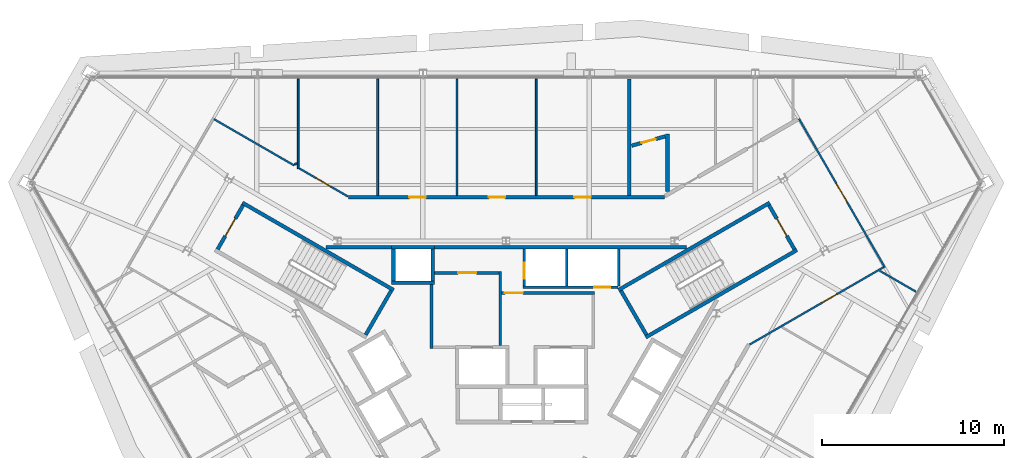
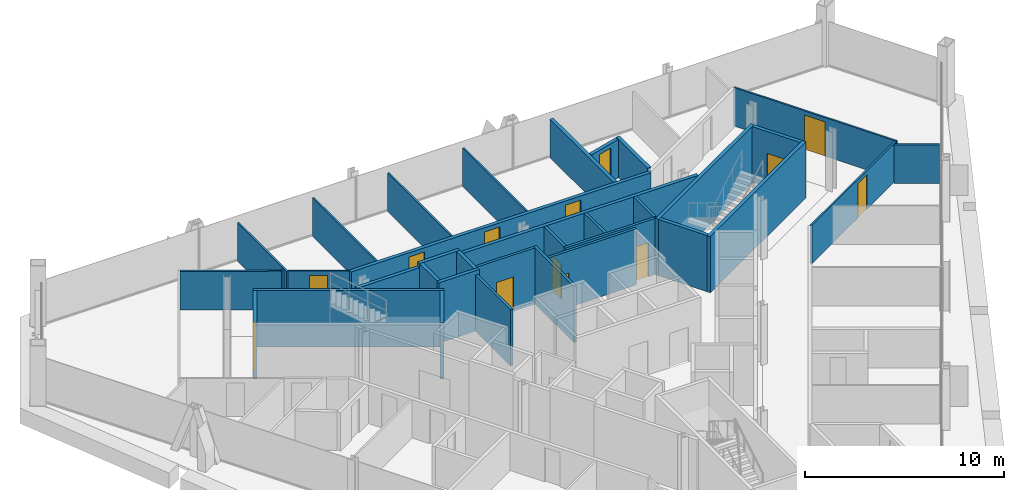
# One storey, part 12 of 15: 35 walls, 13 doors, 13 openings.
"""IFC4 building model written with IfcOpenShell, lengths in metres."""

from ifc_helpers import new_model, si_unit, direction, frame, frame_2d, origin, place, context, subcontext, project, spatial, rectangle, extrude, material, layer, layer_set, type_object, element, fill, save


model = new_model("IFC4")

# Units and contexts
model_context = context("Model", 3, precision=1e-05, world=origin(), true_north=direction((0.0, 1.0)))
body_context = subcontext(model_context, "Body", "Model", "MODEL_VIEW")
ifc_project = project(units=[si_unit("LENGTHUNIT", "METRE"), si_unit("AREAUNIT", "SQUARE_METRE"), si_unit("VOLUMEUNIT", "CUBIC_METRE"), si_unit("PLANEANGLEUNIT", "RADIAN"), si_unit("MASSUNIT", "GRAM", prefix="KILO")], contexts=[model_context])

# Site, building, storey
site_placement = place(None, origin())
site = spatial("IfcSite", under=ifc_project, at=site_placement, CompositionType="ELEMENT")
building_placement = place(site_placement, origin())
building = spatial("IfcBuilding", under=site, at=building_placement, Name="Verrane Prism Tower", CompositionType="ELEMENT")
storey_placement = place(building_placement, frame((0.0, 0.0, 254.5)))
storey = spatial("IfcBuildingStorey", under=building, at=storey_placement, Name="L64", CompositionType="ELEMENT", Elevation=254.5)

# Walls
ifc_material_1 = material(Name="Gypsum board partition", Category="other")
ifc_layer_1 = layer(ifc_material_1, 0.199951171875)
ifc_layer_set_1 = layer_set([ifc_layer_1], Name="CW-200 core boundary wall 2 h")
wall_type_1 = type_object("IfcWallType", Name="CW-200 core boundary wall 2 h", PredefinedType="PARTITIONING", material=ifc_layer_set_1)
wall_1_placement = place(storey_placement, frame((-9.907958984375, 7.659912109375, 0.0), z_axis=(0.0, 0.0, 1.0), x_axis=(1.0, 0.0, 0.0)))
element("IfcWall", 1, at=wall_1_placement, inside=storey, type_object=wall_type_1, Name="Core boundary wall CW3-010", PredefinedType="PARTITIONING", context=body_context, shape_type="SweptSolid", body=[
    extrude(rectangle(XDim=3.620849609375, YDim=0.199951171875, at=frame_2d((1.810546875, 0.0))), origin(), (0.0, 0.0, 1.0), 3.449951171875),
])
wall_2_placement = place(storey_placement, frame((-3.93310546875, 7.659912109375, 0.0), z_axis=(0.0, 0.0, 1.0), x_axis=(1.0, 0.0, 0.0)))
element("IfcWall", 2, at=wall_2_placement, inside=storey, type_object=wall_type_1, Name="Core boundary wall CW3-013", PredefinedType="PARTITIONING", context=body_context, shape_type="SweptSolid", body=[
    extrude(rectangle(XDim=13.841064453125, YDim=0.199951171875, at=frame_2d((6.92041015625, 0.0))), origin(), (0.0, 0.0, 1.0), 3.449951171875),
])

# Wall, opening, door
ifc_material_2 = material(Name="Concrete C40/50", Category="concrete")
ifc_layer_2 = layer(ifc_material_2, 0.199951171875)
ifc_layer_set_2 = layer_set([ifc_layer_2], Name="CW-200 stair core wall concrete C40/50 3 h")
wall_type_2 = type_object("IfcWallType", Name="CW-200 stair core wall concrete C40/50 3 h", PredefinedType="PARTITIONING", material=ifc_layer_set_2)
wall_3_placement = place(storey_placement, frame((15.85546875, 7.53759765625, 0.0), z_axis=(0.0, 0.0, 1.0), x_axis=(-0.500049511043, 0.865996816683, 0.0)))
wall_3 = element("IfcWall", 3, at=wall_3_placement, inside=storey, type_object=wall_type_2, Name="Stair 1 enclosure wall", PredefinedType="PARTITIONING", context=body_context, shape_type="SweptSolid", body=[
    extrude(rectangle(XDim=2.800048828125, YDim=0.199951171875, at=frame_2d((1.39990234375, 0.0))), origin(), (0.0, 0.0, 1.0), 3.449951171875),
])
opening_1_placement = place(wall_3_placement, frame((0.849853515625, 0.0, 0.0)))
opening_1 = element("IfcOpeningElement", 4, at=opening_1_placement, cuts=wall_3, Name="Opening D62500", PredefinedType="OPENING", context=body_context, shape_type="SweptSolid", body=[
    extrude(rectangle(XDim=1.10009765625, YDim=2.10009765625, at=frame_2d((0.550048828125, 1.050048828125))), frame((0.0, 0.10986328125, 0.0), z_axis=(0.0, -1.0, 0.0), x_axis=(1.0, 0.0, 0.0)), (0.0, 0.0, 1.0), 0.219970703125),
])
ifc_material_3 = material(Name="Timber veneered door leaf", Category="wood")
door_type_1 = type_object("IfcDoorType", Name="DR-1100x2100 FD90 single leaf stair", OperationType="NOTDEFINED", PredefinedType="DOOR", material=ifc_material_3)
door_1_placement = place(opening_1_placement, origin())
door_1 = element("IfcDoor", 5, at=door_1_placement, inside=storey, type_object=door_type_1, Name="Stair 1 door", OperationType="SINGLE_SWING_LEFT", OverallHeight=2.10009765625, OverallWidth=1.10009765625, PredefinedType="DOOR", context=body_context, shape_type="SweptSolid", body=[
    extrude(rectangle(XDim=1.10009765625, YDim=2.10009765625, at=frame_2d((0.550048828125, 1.050048828125))), frame((0.0, 0.02490234375, 0.0), z_axis=(0.0, -1.0, 0.0), x_axis=(1.0, 0.0, 0.0)), (0.0, 0.0, 1.0), 0.050048828125),
])
fill(opening_1, door_1)

# Walls
for number, where, z_axis, x_axis, name in (
    (6, (6.17822265625, 5.299072265625, 0.0), (0.0, 0.0, 1.0), (0.866019993635, 0.500009370536, 0.0), "Stair 1 enclosure wall"),
    (7, (7.67822265625, 2.700927734375, 0.0), (0.0, 0.0, 1.0), (0.866019993635, 0.500009370536, 0.0), "Stair 1 enclosure wall"),
):
    element("IfcWall", number, at=place(storey_placement, frame(where, z_axis=z_axis, x_axis=x_axis)), inside=storey, type_object=wall_type_2, Name=name, PredefinedType="PARTITIONING", context=body_context, shape_type="SweptSolid", body=[
        extrude(rectangle(XDim=9.599853515625, YDim=0.199951171875, at=frame_2d((4.7998046875, 0.0))), origin(), (0.0, 0.0, 1.0), 3.449951171875),
    ])
wall_4_placement = place(storey_placement, frame((7.71484375, 2.837646484375, 0.0), z_axis=(0.0, 0.0, 1.0), x_axis=(-0.500049511043, 0.865996816683, 0.0)))
element("IfcWall", 8, at=wall_4_placement, inside=storey, type_object=wall_type_2, Name="Stair 1 enclosure wall", PredefinedType="PARTITIONING", context=body_context, shape_type="SweptSolid", body=[
    extrude(rectangle(XDim=2.800048828125, YDim=0.199951171875, at=frame_2d((1.39990234375, 0.0))), origin(), (0.0, 0.0, 1.0), 3.449951171875),
])

# Wall, opening, door
wall_5_placement = place(storey_placement, frame((-14.455322265625, 9.96240234375, 0.0), z_axis=(0.0, 0.0, 1.0), x_axis=(-0.500049511043, -0.865996816683, 0.0)))
wall_5 = element("IfcWall", 9, at=wall_5_placement, inside=storey, type_object=wall_type_2, Name="Stair 2 enclosure wall", PredefinedType="PARTITIONING", context=body_context, shape_type="SweptSolid", body=[
    extrude(rectangle(XDim=2.800048828125, YDim=0.199951171875, at=frame_2d((1.39990234375, 0.0))), origin(), (0.0, 0.0, 1.0), 3.449951171875),
])
opening_2_placement = place(wall_5_placement, frame((0.849853515625, 0.0, 0.0)))
opening_2 = element("IfcOpeningElement", 10, at=opening_2_placement, cuts=wall_5, Name="Opening D62501", PredefinedType="OPENING", context=body_context, shape_type="SweptSolid", body=[
    extrude(rectangle(XDim=1.10009765625, YDim=2.10009765625, at=frame_2d((0.550048828125, 1.050048828125))), frame((0.0, 0.10986328125, 0.0), z_axis=(0.0, -1.0, 0.0), x_axis=(1.0, 0.0, 0.0)), (0.0, 0.0, 1.0), 0.219970703125),
])
door_2_placement = place(opening_2_placement, origin())
door_2 = element("IfcDoor", 11, at=door_2_placement, inside=storey, type_object=door_type_1, Name="Stair 2 door", OperationType="SINGLE_SWING_RIGHT", OverallHeight=2.10009765625, OverallWidth=1.10009765625, PredefinedType="DOOR", context=body_context, shape_type="SweptSolid", body=[
    extrude(rectangle(XDim=1.10009765625, YDim=2.10009765625, at=frame_2d((0.550048828125, 1.050048828125))), frame((0.0, 0.02490234375, 0.0), z_axis=(0.0, -1.0, 0.0), x_axis=(1.0, 0.0, 0.0)), (0.0, 0.0, 1.0), 0.050048828125),
])
fill(opening_2, door_2)

# Walls
wall_6_placement = place(storey_placement, frame((-6.17822265625, 5.299072265625, 0.0), z_axis=(0.0, 0.0, 1.0), x_axis=(-0.866019993635, 0.500009370536, 0.0)))
element("IfcWall", 12, at=wall_6_placement, inside=storey, type_object=wall_type_2, Name="Stair 2 enclosure wall", PredefinedType="PARTITIONING", context=body_context, shape_type="SweptSolid", body=[
    extrude(rectangle(XDim=9.599853515625, YDim=0.199951171875, at=frame_2d((4.7998046875, 0.0))), origin(), (0.0, 0.0, 1.0), 3.449951171875),
])
wall_7_placement = place(storey_placement, frame((-6.314697265625, 5.262451171875, 0.0), z_axis=(0.0, 0.0, 1.0), x_axis=(-0.500049511043, -0.865996816683, 0.0)))
element("IfcWall", 13, at=wall_7_placement, inside=storey, type_object=wall_type_2, Name="Stair 2 enclosure wall", PredefinedType="PARTITIONING", context=body_context, shape_type="SweptSolid", body=[
    extrude(rectangle(XDim=2.800048828125, YDim=0.199951171875, at=frame_2d((1.39990234375, 0.0))), origin(), (0.0, 0.0, 1.0), 3.449951171875),
])
ifc_material_4 = material(Name="Gypsum board shaft wall assembly", Category="other")
ifc_layer_3 = layer(ifc_material_4, 0.199951171875)
ifc_layer_set_3 = layer_set([ifc_layer_3], Name="HW-200 lift shaft wall 2 h")
wall_type_3 = type_object("IfcWallType", Name="HW-200 lift shaft wall 2 h", PredefinedType="PARTITIONING", material=ifc_layer_set_3)
for number, where, z_axis, x_axis, name in (
    (14, (-6.284912109375, 5.7099609375, 0.0), (0.0, 0.0, 1.0), (1.0, 0.0, 0.0), "Lift shaft wall"),
    (15, (-6.284912109375, 7.659912109375, 0.0), (0.0, 0.0, 1.0), (1.0, 0.0, 0.0), "Lift shaft wall"),
):
    element("IfcWall", number, at=place(storey_placement, frame(where, z_axis=z_axis, x_axis=x_axis)), inside=storey, type_object=wall_type_3, Name=name, PredefinedType="PARTITIONING", context=body_context, shape_type="SweptSolid", body=[
        extrude(rectangle(XDim=2.349853515625, YDim=0.199951171875, at=frame_2d((1.1748046875, 0.0))), origin(), (0.0, 0.0, 1.0), 3.699951171875),
    ])
for number, where, z_axis, x_axis, name in (
    (16, (-4.034912109375, 5.81005859375, 0.0), (0.0, 0.0, 1.0), (0.0, 1.0, 0.0), "Lift shaft wall"),
    (17, (-6.18505859375, 5.81005859375, 0.0), (0.0, 0.0, 1.0), (0.0, 1.0, 0.0), "Lift shaft wall"),
):
    element("IfcWall", number, at=place(storey_placement, frame(where, z_axis=z_axis, x_axis=x_axis)), inside=storey, type_object=wall_type_3, Name=name, PredefinedType="PARTITIONING", context=body_context, shape_type="SweptSolid", body=[
        extrude(rectangle(XDim=1.75, YDim=0.199951171875, at=frame_2d((0.875, 0.0))), origin(), (0.0, 0.0, 1.0), 3.699951171875),
    ])
ifc_material_5 = material(Name="Gypsum board partition", Category="other")
ifc_layer_4 = layer(ifc_material_5, 0.14990234375)
ifc_layer_set_4 = layer_set([ifc_layer_4], Name="LF-150 firefighting lobby wall 1 h")
wall_type_4 = type_object("IfcWallType", Name="LF-150 firefighting lobby wall 1 h", PredefinedType="PARTITIONING", material=ifc_layer_set_4)
wall_8_placement = place(storey_placement, frame((-4.10009765625, 2.0849609375, 0.0), z_axis=(0.0, 0.0, 1.0), x_axis=(0.0, 1.0, 0.0)))
element("IfcWall", 18, at=wall_8_placement, inside=storey, type_object=wall_type_4, Name="Firefighting lobby wall LF1-008", PredefinedType="PARTITIONING", context=body_context, shape_type="SweptSolid", body=[
    extrude(rectangle(XDim=3.52294921875, YDim=0.14990234375, at=frame_2d((1.761474609375, 0.0))), origin(), (0.0, 0.0, 1.0), 3.449951171875),
])

# Wall, opening, door
wall_9_placement = place(storey_placement, frame((-3.93310546875, 6.239990234375, 0.0), z_axis=(0.0, 0.0, 1.0), x_axis=(1.0, 0.0, 0.0)))
wall_9 = element("IfcWall", 19, at=wall_9_placement, inside=storey, type_object=wall_type_4, Name="Firefighting lobby wall LF1-010", PredefinedType="PARTITIONING", context=body_context, shape_type="SweptSolid", body=[
    extrude(rectangle(XDim=3.5380859375, YDim=0.14990234375, at=frame_2d((1.76904296875, 0.0))), origin(), (0.0, 0.0, 1.0), 3.449951171875),
])
opening_3_placement = place(wall_9_placement, frame((1.300048828125, 0.0, 0.0)))
opening_3 = element("IfcOpeningElement", 20, at=opening_3_placement, cuts=wall_9, Name="Opening D62519", PredefinedType="OPENING", context=body_context, shape_type="SweptSolid", body=[
    extrude(rectangle(XDim=1.0, YDim=2.10009765625, at=frame_2d((0.5, 1.050048828125))), frame((0.0, 0.0849609375, 0.0), z_axis=(0.0, -1.0, 0.0), x_axis=(1.0, 0.0, 0.0)), (0.0, 0.0, 1.0), 0.169921875),
])
ifc_material_6 = material(Name="Timber veneered door leaf", Category="wood")
door_type_2 = type_object("IfcDoorType", Name="DR-1000x2100 FD60 single leaf firefighting lobby", OperationType="NOTDEFINED", PredefinedType="DOOR", material=ifc_material_6)
door_3_placement = place(opening_3_placement, origin())
door_3 = element("IfcDoor", 21, at=door_3_placement, inside=storey, type_object=door_type_2, Name="Firefighting lobby door D62519", OperationType="SINGLE_SWING_LEFT", OverallHeight=2.10009765625, OverallWidth=1.0, PredefinedType="DOOR", context=body_context, shape_type="SweptSolid", body=[
    extrude(rectangle(XDim=1.0, YDim=2.10009765625, at=frame_2d((0.5, 1.050048828125))), frame((0.0, 0.02490234375, 0.0), z_axis=(0.0, -1.0, 0.0), x_axis=(1.0, 0.0, 0.0)), (0.0, 0.0, 1.0), 0.050048828125),
])
fill(opening_3, door_3)

# Wall
wall_10_placement = place(storey_placement, frame((-0.320068359375, 2.251953125, 0.0), z_axis=(0.0, 0.0, 1.0), x_axis=(0.0, 1.0, 0.0)))
element("IfcWall", 22, at=wall_10_placement, inside=storey, type_object=wall_type_4, Name="Firefighting lobby wall LF1-011", PredefinedType="PARTITIONING", context=body_context, shape_type="SweptSolid", body=[
    extrude(rectangle(XDim=4.06298828125, YDim=0.14990234375, at=frame_2d((2.031494140625, 0.0))), origin(), (0.0, 0.0, 1.0), 3.449951171875),
])

# Wall, opening, door
wall_11_placement = place(storey_placement, frame((-0.2451171875, 5.139892578125, 0.0), z_axis=(0.0, 0.0, 1.0), x_axis=(1.0, 0.0, 0.0)))
wall_11 = element("IfcWall", 23, at=wall_11_placement, inside=storey, type_object=wall_type_4, Name="Firefighting lobby wall LF1-012", PredefinedType="PARTITIONING", context=body_context, shape_type="SweptSolid", body=[
    extrude(rectangle(XDim=5.110107421875, YDim=0.14990234375, at=frame_2d((2.55517578125, 0.0))), origin(), (0.0, 0.0, 1.0), 3.449951171875),
])
opening_4_placement = place(wall_11_placement, frame((0.175048828125, 0.0, 0.0)))
opening_4 = element("IfcOpeningElement", 24, at=opening_4_placement, cuts=wall_11, Name="Opening D62520", PredefinedType="OPENING", context=body_context, shape_type="SweptSolid", body=[
    extrude(rectangle(XDim=1.0, YDim=2.10009765625, at=frame_2d((0.5, 1.050048828125))), frame((0.0, 0.0849609375, 0.0), z_axis=(0.0, -1.0, 0.0), x_axis=(1.0, 0.0, 0.0)), (0.0, 0.0, 1.0), 0.169921875),
])
door_4_placement = place(opening_4_placement, origin())
door_4 = element("IfcDoor", 25, at=door_4_placement, inside=storey, type_object=door_type_2, Name="Firefighting lobby door D62520", OperationType="SINGLE_SWING_LEFT", OverallHeight=2.10009765625, OverallWidth=1.0, PredefinedType="DOOR", context=body_context, shape_type="SweptSolid", body=[
    extrude(rectangle(XDim=1.0, YDim=2.10009765625, at=frame_2d((0.5, 1.050048828125))), frame((0.0, 0.02490234375, 0.0), z_axis=(0.0, -1.0, 0.0), x_axis=(1.0, 0.0, 0.0)), (0.0, 0.0, 1.0), 0.050048828125),
])
fill(opening_4, door_4)

# Walls
ifc_material_7 = material(Name="Gypsum board partition", Category="other")
ifc_layer_5 = layer(ifc_material_7, 0.10009765625)
ifc_layer_set_5 = layer_set([ifc_layer_5], Name="PW-100 room partition")
wall_type_5 = type_object("IfcWallType", Name="PW-100 room partition", PredefinedType="PARTITIONING", material=ifc_layer_set_5)
wall_12_placement = place(storey_placement, frame((-16.0546875, 14.693115234375, 0.0), z_axis=(0.0, 0.0, 1.0), x_axis=(0.866094383736, -0.499880504182, 0.0)))
element("IfcWall", 26, at=wall_12_placement, inside=storey, type_object=wall_type_5, Name="Room partition 009", PredefinedType="PARTITIONING", context=body_context, shape_type="SweptSolid", body=[
    extrude(rectangle(XDim=5.081298828125, YDim=0.10009765625, at=frame_2d((2.54052734375, 0.0))), origin(), (0.0, 0.0, 1.0), 2.362060546875),
])
wall_13_placement = place(storey_placement, frame((-11.631591796875, 12.202880859375, 0.0), z_axis=(0.0, 0.0, 1.0), x_axis=(0.934710776834, 0.355409290354, 0.0)))
element("IfcWall", 27, at=wall_13_placement, inside=storey, type_object=wall_type_5, Name="Room partition 017", PredefinedType="PARTITIONING", context=body_context, shape_type="SweptSolid", body=[
    extrude(rectangle(XDim=0.156005859375, YDim=0.10009765625, at=frame_2d((0.078125, 0.0))), origin(), (0.0, 0.0, 1.0), 2.362060546875),
])
wall_14_placement = place(storey_placement, frame((-11.41796875, 11.967041015625, 0.0), z_axis=(0.0, 0.0, 1.0), x_axis=(0.0, 1.0, 0.0)))
element("IfcWall", 28, at=wall_14_placement, inside=storey, type_object=wall_type_5, Name="Room partition 018", PredefinedType="PARTITIONING", context=body_context, shape_type="SweptSolid", body=[
    extrude(rectangle(XDim=4.93896484375, YDim=0.10009765625, at=frame_2d((2.469482421875, 0.0))), origin(), (0.0, 0.0, 1.0), 2.362060546875),
])

# Wall, opening, door
wall_15_placement = place(storey_placement, frame((-11.357421875, 11.98193359375, 0.0), z_axis=(0.0, 0.0, 1.0), x_axis=(0.866039032844, -0.499976393034, 0.0)))
wall_15 = element("IfcWall", 29, at=wall_15_placement, inside=storey, type_object=wall_type_5, Name="Room partition 019", PredefinedType="PARTITIONING", context=body_context, shape_type="SweptSolid", body=[
    extrude(rectangle(XDim=3.079345703125, YDim=0.10009765625, at=frame_2d((1.53955078125, 0.0))), origin(), (0.0, 0.0, 1.0), 2.362060546875),
])
opening_5_placement = place(wall_15_placement, frame((1.080078125, 0.0, 0.0)))
opening_5 = element("IfcOpeningElement", 30, at=opening_5_placement, cuts=wall_15, Name="Opening D62016", PredefinedType="OPENING", context=body_context, shape_type="SweptSolid", body=[
    extrude(rectangle(XDim=0.89990234375, YDim=2.10009765625, at=frame_2d((0.449951171875, 1.050048828125))), frame((0.0, 0.06005859375, 0.0), z_axis=(0.0, -1.0, 0.0), x_axis=(1.0, 0.0, 0.0)), (0.0, 0.0, 1.0), 0.1201171875),
])
ifc_material_8 = material(Name="Timber veneered door leaf", Category="wood")
door_type_3 = type_object("IfcDoorType", Name="DR-900x2100 single leaf unit", OperationType="NOTDEFINED", PredefinedType="DOOR", material=ifc_material_8)
door_5_placement = place(opening_5_placement, origin())
door_5 = element("IfcDoor", 31, at=door_5_placement, inside=storey, type_object=door_type_3, Name="Utility Room door", OperationType="SINGLE_SWING_RIGHT", OverallHeight=2.10009765625, OverallWidth=0.89990234375, PredefinedType="DOOR", context=body_context, shape_type="SweptSolid", body=[
    extrude(rectangle(XDim=0.89990234375, YDim=2.10009765625, at=frame_2d((0.449951171875, 1.050048828125))), frame((0.0, 0.02490234375, 0.0), z_axis=(0.0, -1.0, 0.0), x_axis=(1.0, 0.0, 0.0)), (0.0, 0.0, 1.0), 0.050048828125),
])
fill(opening_5, door_5)

# Walls
for number, where, z_axis, x_axis, name in (
    (32, (-7.05908203125, 10.5, 0.0), (0.0, 0.0, 1.0), (0.0, 1.0, 0.0), "Room partition 022"),
    (33, (-2.700927734375, 10.5, 0.0), (0.0, 0.0, 1.0), (0.0, 1.0, 0.0), "Room partition 026"),
    (34, (1.657958984375, 10.5, 0.0), (0.0, 0.0, 1.0), (0.0, 1.0, 0.0), "Room partition 027"),
):
    element("IfcWall", number, at=place(storey_placement, frame(where, z_axis=z_axis, x_axis=x_axis)), inside=storey, type_object=wall_type_5, Name=name, PredefinedType="PARTITIONING", context=body_context, shape_type="SweptSolid", body=[
        extrude(rectangle(XDim=6.406005859375, YDim=0.10009765625, at=frame_2d((3.203125, 0.0))), origin(), (0.0, 0.0, 1.0), 2.362060546875),
    ])

# Wall, opening, door
wall_16_placement = place(storey_placement, frame((20.755615234375, 6.556884765625, 0.0), z_axis=(0.0, 0.0, 1.0), x_axis=(-0.86606177021, -0.499937006213, 0.0)))
wall_16 = element("IfcWall", 35, at=wall_16_placement, inside=storey, type_object=wall_type_5, Name="Room partition 044", PredefinedType="PARTITIONING", context=body_context, shape_type="SweptSolid", body=[
    extrude(rectangle(XDim=8.50390625, YDim=0.10009765625, at=frame_2d((4.251953125, 0.0))), origin(), (0.0, 0.0, 1.0), 2.362060546875),
])
opening_6_placement = place(wall_16_placement, frame((2.97900390625, 0.0, 0.0)))
opening_6 = element("IfcOpeningElement", 36, at=opening_6_placement, cuts=wall_16, Name="Opening D62008", PredefinedType="OPENING", context=body_context, shape_type="SweptSolid", body=[
    extrude(rectangle(XDim=0.89990234375, YDim=2.10009765625, at=frame_2d((0.449951171875, 1.050048828125))), frame((0.0, 0.06005859375, 0.0), z_axis=(0.0, -1.0, 0.0), x_axis=(1.0, 0.0, 0.0)), (0.0, 0.0, 1.0), 0.1201171875),
])
door_6_placement = place(opening_6_placement, origin())
door_6 = element("IfcDoor", 37, at=door_6_placement, inside=storey, type_object=door_type_3, Name="Study door", OperationType="SINGLE_SWING_LEFT", OverallHeight=2.10009765625, OverallWidth=0.89990234375, PredefinedType="DOOR", context=body_context, shape_type="SweptSolid", body=[
    extrude(rectangle(XDim=0.89990234375, YDim=2.10009765625, at=frame_2d((0.449951171875, 1.050048828125))), frame((0.0, 0.02490234375, 0.0), z_axis=(0.0, -1.0, 0.0), x_axis=(1.0, 0.0, 0.0)), (0.0, 0.0, 1.0), 0.050048828125),
])
fill(opening_6, door_6)

wall_17_placement = place(storey_placement, frame((16.097900390625, 14.718017578125, 0.0), z_axis=(0.0, 0.0, 1.0), x_axis=(0.50030257167, -0.86585064346, 0.0)))
wall_17 = element("IfcWall", 38, at=wall_17_placement, inside=storey, type_object=wall_type_5, Name="Room partition 047", PredefinedType="PARTITIONING", context=body_context, shape_type="SweptSolid", body=[
    extrude(rectangle(XDim=9.446533203125, YDim=0.10009765625, at=frame_2d((4.72314453125, 0.0))), origin(), (0.0, 0.0, 1.0), 2.362060546875),
])
opening_7_placement = place(wall_17_placement, frame((4.10009765625, 0.0, 0.0)))
opening_7 = element("IfcOpeningElement", 39, at=opening_7_placement, cuts=wall_17, Name="Opening D62009", PredefinedType="OPENING", context=body_context, shape_type="SweptSolid", body=[
    extrude(rectangle(XDim=1.199951171875, YDim=2.10009765625, at=frame_2d((0.60009765625, 1.050048828125))), frame((0.0, 0.06005859375, 0.0), z_axis=(0.0, -1.0, 0.0), x_axis=(1.0, 0.0, 0.0)), (0.0, 0.0, 1.0), 0.1201171875),
])
ifc_material_9 = material(Name="Timber veneered door leaf", Category="wood")
door_type_4 = type_object("IfcDoorType", Name="DR-1200x2100 single leaf unit", OperationType="NOTDEFINED", PredefinedType="DOOR", material=ifc_material_9)
door_7_placement = place(opening_7_placement, origin())
door_7 = element("IfcDoor", 40, at=door_7_placement, inside=storey, type_object=door_type_4, Name="Living And Dining Room door", OperationType="SINGLE_SWING_LEFT", OverallHeight=2.10009765625, OverallWidth=1.199951171875, PredefinedType="DOOR", context=body_context, shape_type="SweptSolid", body=[
    extrude(rectangle(XDim=1.199951171875, YDim=2.10009765625, at=frame_2d((0.60009765625, 1.050048828125))), frame((0.0, 0.02490234375, 0.0), z_axis=(0.0, -1.0, 0.0), x_axis=(1.0, 0.0, 0.0)), (0.0, 0.0, 1.0), 0.050048828125),
])
fill(opening_7, door_7)

# Wall
wall_18_placement = place(storey_placement, frame((20.552001953125, 6.352783203125, 0.0), z_axis=(0.0, 0.0, 1.0), x_axis=(0.865865073245, -0.500277597875, 0.0)))
element("IfcWall", 41, at=wall_18_placement, inside=storey, type_object=wall_type_5, Name="Room partition 048", PredefinedType="PARTITIONING", context=body_context, shape_type="SweptSolid", body=[
    extrude(rectangle(XDim=2.283935546875, YDim=0.10009765625, at=frame_2d((1.14208984375, 0.0))), origin(), (0.0, 0.0, 1.0), 2.362060546875),
])

# Wall, openings, doors
ifc_material_10 = material(Name="Gypsum board partition", Category="other")
ifc_layer_6 = layer(ifc_material_10, 0.199951171875)
ifc_layer_set_6 = layer_set([ifc_layer_6], Name="PW-200 plumbing wall")
wall_type_6 = type_object("IfcWallType", Name="PW-200 plumbing wall", PredefinedType="PARTITIONING", material=ifc_layer_set_6)
wall_19_placement = place(storey_placement, frame((-8.6669921875, 10.39990234375, 0.0), z_axis=(0.0, 0.0, 1.0), x_axis=(1.0, 0.0, 0.0)))
wall_19 = element("IfcWall", 42, at=wall_19_placement, inside=storey, type_object=wall_type_6, Name="Plumbing wall 021", PredefinedType="PARTITIONING", context=body_context, shape_type="SweptSolid", body=[
    extrude(rectangle(XDim=17.384033203125, YDim=0.199951171875, at=frame_2d((8.69189453125, 0.0))), origin(), (0.0, 0.0, 1.0), 2.362060546875),
])
opening_8_placement = place(wall_19_placement, frame((12.425048828125, 0.0, 0.0)))
opening_8 = element("IfcOpeningElement", 43, at=opening_8_placement, cuts=wall_19, Name="Opening D62013", PredefinedType="OPENING", context=body_context, shape_type="SweptSolid", body=[
    extrude(rectangle(XDim=0.89990234375, YDim=2.10009765625, at=frame_2d((0.449951171875, 1.050048828125))), frame((0.0, 0.10986328125, 0.0), z_axis=(0.0, -1.0, 0.0), x_axis=(1.0, 0.0, 0.0)), (0.0, 0.0, 1.0), 0.219970703125),
])
opening_9_placement = place(wall_19_placement, frame((7.716064453125, 0.0, 0.0)))
opening_9 = element("IfcOpeningElement", 44, at=opening_9_placement, cuts=wall_19, Name="Opening D62014", PredefinedType="OPENING", context=body_context, shape_type="SweptSolid", body=[
    extrude(rectangle(XDim=0.89990234375, YDim=2.10009765625, at=frame_2d((0.449951171875, 1.050048828125))), frame((0.0, 0.10986328125, 0.0), z_axis=(0.0, -1.0, 0.0), x_axis=(1.0, 0.0, 0.0)), (0.0, 0.0, 1.0), 0.219970703125),
])
opening_10_placement = place(wall_19_placement, frame((3.35791015625, 0.0, 0.0)))
opening_10 = element("IfcOpeningElement", 45, at=opening_10_placement, cuts=wall_19, Name="Opening D62015", PredefinedType="OPENING", context=body_context, shape_type="SweptSolid", body=[
    extrude(rectangle(XDim=0.89990234375, YDim=2.10009765625, at=frame_2d((0.449951171875, 1.050048828125))), frame((0.0, 0.10986328125, 0.0), z_axis=(0.0, -1.0, 0.0), x_axis=(1.0, 0.0, 0.0)), (0.0, 0.0, 1.0), 0.219970703125),
])
door_8_placement = place(opening_8_placement, origin())
door_8 = element("IfcDoor", 46, at=door_8_placement, inside=storey, type_object=door_type_3, Name="Study door", OperationType="SINGLE_SWING_LEFT", OverallHeight=2.10009765625, OverallWidth=0.89990234375, PredefinedType="DOOR", context=body_context, shape_type="SweptSolid", body=[
    extrude(rectangle(XDim=0.89990234375, YDim=2.10009765625, at=frame_2d((0.449951171875, 1.050048828125))), frame((0.0, 0.02490234375, 0.0), z_axis=(0.0, -1.0, 0.0), x_axis=(1.0, 0.0, 0.0)), (0.0, 0.0, 1.0), 0.050048828125),
])
fill(opening_8, door_8)
door_9_placement = place(opening_9_placement, origin())
door_9 = element("IfcDoor", 47, at=door_9_placement, inside=storey, type_object=door_type_3, Name="Utility Room door", OperationType="SINGLE_SWING_RIGHT", OverallHeight=2.10009765625, OverallWidth=0.89990234375, PredefinedType="DOOR", context=body_context, shape_type="SweptSolid", body=[
    extrude(rectangle(XDim=0.89990234375, YDim=2.10009765625, at=frame_2d((0.449951171875, 1.050048828125))), frame((0.0, 0.02490234375, 0.0), z_axis=(0.0, -1.0, 0.0), x_axis=(1.0, 0.0, 0.0)), (0.0, 0.0, 1.0), 0.050048828125),
])
fill(opening_9, door_9)
door_10_placement = place(opening_10_placement, origin())
door_10 = element("IfcDoor", 48, at=door_10_placement, inside=storey, type_object=door_type_3, Name="Utility Room door", OperationType="SINGLE_SWING_LEFT", OverallHeight=2.10009765625, OverallWidth=0.89990234375, PredefinedType="DOOR", context=body_context, shape_type="SweptSolid", body=[
    extrude(rectangle(XDim=0.89990234375, YDim=2.10009765625, at=frame_2d((0.449951171875, 1.050048828125))), frame((0.0, 0.02490234375, 0.0), z_axis=(0.0, -1.0, 0.0), x_axis=(1.0, 0.0, 0.0)), (0.0, 0.0, 1.0), 0.050048828125),
])
fill(opening_10, door_10)

# Wall
wall_20_placement = place(storey_placement, frame((6.77490234375, 10.5, 0.0), z_axis=(0.0, 0.0, 1.0), x_axis=(0.0, 1.0, 0.0)))
element("IfcWall", 49, at=wall_20_placement, inside=storey, type_object=wall_type_6, Name="Plumbing wall 034", PredefinedType="PARTITIONING", context=body_context, shape_type="SweptSolid", body=[
    extrude(rectangle(XDim=6.406005859375, YDim=0.199951171875, at=frame_2d((3.203125, 0.0))), origin(), (0.0, 0.0, 1.0), 2.362060546875),
])

# Wall, opening, door
wall_21_placement = place(storey_placement, frame((8.749755859375, 13.747314453125, 0.0), z_axis=(0.0, 0.0, 1.0), x_axis=(-0.963674591663, -0.267079166884, 0.0)))
wall_21 = element("IfcWall", 50, at=wall_21_placement, inside=storey, type_object=wall_type_6, Name="Plumbing wall 035", PredefinedType="PARTITIONING", context=body_context, shape_type="SweptSolid", body=[
    extrude(rectangle(XDim=1.917724609375, YDim=0.199951171875, at=frame_2d((0.958984375, 0.0))), origin(), (0.0, 0.0, 1.0), 2.362060546875),
])
opening_11_placement = place(wall_21_placement, frame((0.549072265625, 0.0, 0.0)))
opening_11 = element("IfcOpeningElement", 51, at=opening_11_placement, cuts=wall_21, Name="Opening D62012", PredefinedType="OPENING", context=body_context, shape_type="SweptSolid", body=[
    extrude(rectangle(XDim=0.800048828125, YDim=2.10009765625, at=frame_2d((0.39990234375, 1.050048828125))), frame((0.0, 0.10986328125, 0.0), z_axis=(0.0, -1.0, 0.0), x_axis=(1.0, 0.0, 0.0)), (0.0, 0.0, 1.0), 0.219970703125),
])
ifc_material_11 = material(Name="Timber veneered door leaf", Category="wood")
door_type_5 = type_object("IfcDoorType", Name="DR-800x2100 single leaf bath", OperationType="NOTDEFINED", PredefinedType="DOOR", material=ifc_material_11)
door_11_placement = place(opening_11_placement, origin())
door_11 = element("IfcDoor", 52, at=door_11_placement, inside=storey, type_object=door_type_5, Name="Bathroom door", OperationType="SINGLE_SWING_LEFT", OverallHeight=2.10009765625, OverallWidth=0.800048828125, PredefinedType="DOOR", context=body_context, shape_type="SweptSolid", body=[
    extrude(rectangle(XDim=0.800048828125, YDim=2.10009765625, at=frame_2d((0.39990234375, 1.050048828125))), frame((0.0, 0.02490234375, 0.0), z_axis=(0.0, -1.0, 0.0), x_axis=(1.0, 0.0, 0.0)), (0.0, 0.0, 1.0), 0.050048828125),
])
fill(opening_11, door_11)

# Wall
wall_22_placement = place(storey_placement, frame((8.875, 10.72216796875, 0.0), z_axis=(0.0, 0.0, 1.0), x_axis=(0.0, 1.0, 0.0)))
element("IfcWall", 53, at=wall_22_placement, inside=storey, type_object=wall_type_6, Name="Plumbing wall 040", PredefinedType="PARTITIONING", context=body_context, shape_type="SweptSolid", body=[
    extrude(rectangle(XDim=3.159912109375, YDim=0.199951171875, at=frame_2d((1.580078125, 0.0))), origin(), (0.0, 0.0, 1.0), 2.362060546875),
])

# Wall, opening, door
ifc_material_12 = material(Name="Gypsum board partition", Category="other")
ifc_layer_7 = layer(ifc_material_12, 0.14990234375)
ifc_layer_set_7 = layer_set([ifc_layer_7], Name="RS-150 riser enclosure wall 1 h")
wall_type_7 = type_object("IfcWallType", Name="RS-150 riser enclosure wall 1 h", PredefinedType="PARTITIONING", material=ifc_layer_set_7)
wall_23_placement = place(storey_placement, frame((1.0, 7.56005859375, 0.0), z_axis=(0.0, 0.0, 1.0), x_axis=(0.0, -1.0, 0.0)))
wall_23 = element("IfcWall", 54, at=wall_23_placement, inside=storey, type_object=wall_type_7, Name="Riser wall RS3-010", PredefinedType="PARTITIONING", context=body_context, shape_type="SweptSolid", body=[
    extrude(rectangle(XDim=2.025146484375, YDim=0.14990234375, at=frame_2d((1.0126953125, 0.0))), origin(), (0.0, 0.0, 1.0), 3.449951171875),
])
opening_12_placement = place(wall_23_placement, frame((0.75, 0.0, 0.0)))
opening_12 = element("IfcOpeningElement", 55, at=opening_12_placement, cuts=wall_23, Name="Opening D62521", PredefinedType="OPENING", context=body_context, shape_type="SweptSolid", body=[
    extrude(rectangle(XDim=0.89990234375, YDim=2.10009765625, at=frame_2d((0.449951171875, 1.050048828125))), frame((0.0, 0.0849609375, 0.0), z_axis=(0.0, -1.0, 0.0), x_axis=(1.0, 0.0, 0.0)), (0.0, 0.0, 1.0), 0.169921875),
])
ifc_material_13 = material(Name="Timber veneered door leaf", Category="wood")
door_type_6 = type_object("IfcDoorType", Name="DR-900x2100 FD60 single leaf riser", OperationType="NOTDEFINED", PredefinedType="DOOR", material=ifc_material_13)
door_12_placement = place(opening_12_placement, origin())
door_12 = element("IfcDoor", 56, at=door_12_placement, inside=storey, type_object=door_type_6, Name="Riser door D62521", OperationType="SINGLE_SWING_RIGHT", OverallHeight=2.10009765625, OverallWidth=0.89990234375, PredefinedType="DOOR", context=body_context, shape_type="SweptSolid", body=[
    extrude(rectangle(XDim=0.89990234375, YDim=2.10009765625, at=frame_2d((0.449951171875, 1.050048828125))), frame((0.0, 0.02490234375, 0.0), z_axis=(0.0, -1.0, 0.0), x_axis=(1.0, 0.0, 0.0)), (0.0, 0.0, 1.0), 0.050048828125),
])
fill(opening_12, door_12)

wall_24_placement = place(storey_placement, frame((0.925048828125, 5.4599609375, 0.0), z_axis=(0.0, 0.0, 1.0), x_axis=(1.0, 0.0, 0.0)))
wall_24 = element("IfcWall", 57, at=wall_24_placement, inside=storey, type_object=wall_type_7, Name="Riser wall RS3-011", PredefinedType="PARTITIONING", context=body_context, shape_type="SweptSolid", body=[
    extrude(rectangle(XDim=5.219970703125, YDim=0.14990234375, at=frame_2d((2.60986328125, 0.0))), origin(), (0.0, 0.0, 1.0), 3.449951171875),
])
opening_13_placement = place(wall_24_placement, frame((3.9150390625, 0.0, 0.0)))
opening_13 = element("IfcOpeningElement", 58, at=opening_13_placement, cuts=wall_24, Name="Opening D62522", PredefinedType="OPENING", context=body_context, shape_type="SweptSolid", body=[
    extrude(rectangle(XDim=0.89990234375, YDim=2.10009765625, at=frame_2d((0.449951171875, 1.050048828125))), frame((0.0, 0.0849609375, 0.0), z_axis=(0.0, -1.0, 0.0), x_axis=(1.0, 0.0, 0.0)), (0.0, 0.0, 1.0), 0.169921875),
])
door_13_placement = place(opening_13_placement, origin())
door_13 = element("IfcDoor", 59, at=door_13_placement, inside=storey, type_object=door_type_6, Name="Riser door D62522", OperationType="SINGLE_SWING_RIGHT", OverallHeight=2.10009765625, OverallWidth=0.89990234375, PredefinedType="DOOR", context=body_context, shape_type="SweptSolid", body=[
    extrude(rectangle(XDim=0.89990234375, YDim=2.10009765625, at=frame_2d((0.449951171875, 1.050048828125))), frame((0.0, 0.02490234375, 0.0), z_axis=(0.0, -1.0, 0.0), x_axis=(1.0, 0.0, 0.0)), (0.0, 0.0, 1.0), 0.050048828125),
])
fill(opening_13, door_13)

# Walls
for number, where, z_axis, x_axis, name in (
    (60, (3.340087890625, 5.534912109375, 0.0), (0.0, 0.0, 1.0), (0.0, 1.0, 0.0), "Riser wall RS3-012"),
    (61, (6.199951171875, 5.534912109375, 0.0), (0.0, 0.0, 1.0), (0.0, 1.0, 0.0), "Riser wall RS3-013"),
):
    element("IfcWall", number, at=place(storey_placement, frame(where, z_axis=z_axis, x_axis=x_axis)), inside=storey, type_object=wall_type_7, Name=name, PredefinedType="PARTITIONING", context=body_context, shape_type="SweptSolid", body=[
        extrude(rectangle(XDim=2.025146484375, YDim=0.14990234375, at=frame_2d((1.0126953125, 0.0))), origin(), (0.0, 0.0, 1.0), 3.449951171875),
    ])

save(model, "model.ifc")
